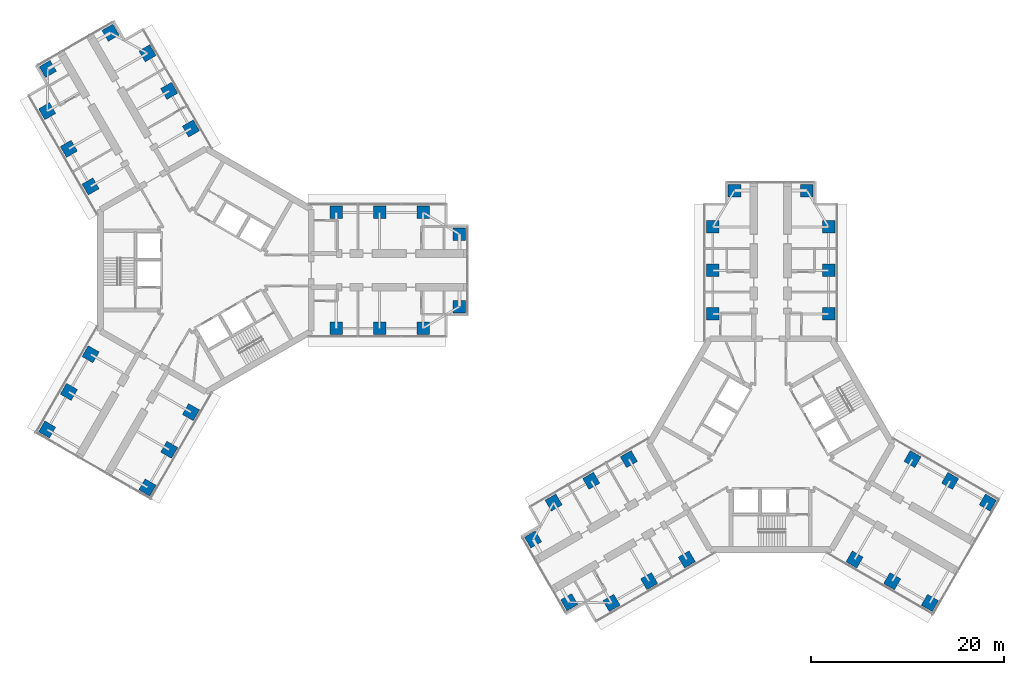
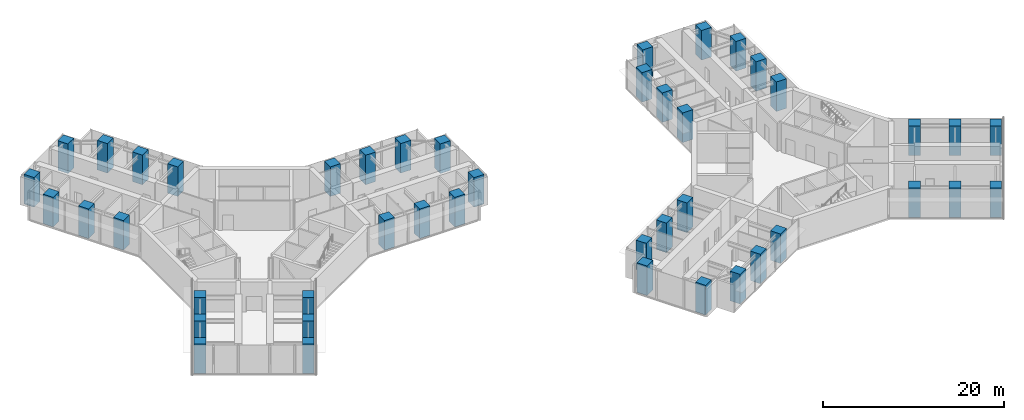
# One storey, part 1 of 22: 44 columns.
"""IFC4 building model written with IfcOpenShell, lengths in metres."""

from ifc_helpers import new_model, si_unit, direction, frame, origin, origin_2d, place, context, subcontext, project, spatial, rectangle, extrude, material, material_profile, profile_set, type_object, element, save


model = new_model("IFC4")

# Units and contexts
model_context = context("Model", 3, precision=1e-05, world=origin(), true_north=direction((0.0, 1.0)))
body_context = subcontext(model_context, "Body", "Model", "MODEL_VIEW")
ifc_project = project(units=[si_unit("LENGTHUNIT", "METRE"), si_unit("AREAUNIT", "SQUARE_METRE"), si_unit("VOLUMEUNIT", "CUBIC_METRE"), si_unit("PLANEANGLEUNIT", "RADIAN"), si_unit("MASSUNIT", "GRAM", prefix="KILO")], contexts=[model_context])

# Site, building, storey
site_placement = place(None, origin())
site = spatial("IfcSite", under=ifc_project, at=site_placement, CompositionType="ELEMENT")
building_placement = place(site_placement, origin())
building = spatial("IfcBuilding", under=site, at=building_placement, Name="Upepo Twin Towers", CompositionType="ELEMENT")
storey_placement = place(building_placement, frame((0.0, 0.0, 129.5)))
storey = spatial("IfcBuildingStorey", under=building, at=storey_placement, Name="L31", CompositionType="ELEMENT", Elevation=129.5)

# Columns
ifc_material = material(Name="Concrete C60/75", Category="concrete")
ifc_material_profile = material_profile(ifc_material, rectangle(XDim=1.300048828125, YDim=1.300048828125, at=origin_2d()), Name="RC 1300x1300")
ifc_profile_set = profile_set([ifc_material_profile], Name="Concrete C60/75")
column_type = type_object("IfcColumnType", Name="Tower column RC 1300x1300", PredefinedType="COLUMN", material=ifc_profile_set)
for number, where, z_axis, x_axis, name in (
    (1, (13.5, 6.0, 0.0), (0.0, 0.0, 1.0), (1.0, 0.0, 0.0), "T1 column AL135"),
    (2, (13.5, -6.0, 0.0), (0.0, 0.0, 1.0), (1.0, 0.0, 0.0), "T1 column AR135"),
    (3, (18.0, 6.0, 0.0), (0.0, 0.0, 1.0), (1.0, 0.0, 0.0), "T1 column AL180"),
    (4, (18.0, -6.0, 0.0), (0.0, 0.0, 1.0), (1.0, 0.0, 0.0), "T1 column AR180"),
    (5, (22.5, 6.0, 0.0), (0.0, 0.0, 1.0), (1.0, 0.0, 0.0), "T1 column AL225"),
    (6, (22.5, -6.0, 0.0), (0.0, 0.0, 1.0), (1.0, 0.0, 0.0), "T1 column AR225"),
    (7, (26.25, 3.75, 0.0), (0.0, 0.0, 1.0), (1.0, 0.0, 0.0), "T1 column ALN"),
    (8, (26.25, -3.75, 0.0), (0.0, 0.0, 1.0), (1.0, 0.0, 0.0), "T1 column ARN"),
    (9, (-11.946044921875, 8.69140625, 0.0), (0.0, 0.0, 1.0), (0.866025403784, 0.5, 0.0), "T1 column BL135"),
    (10, (-1.553955078125, 14.69140625, 0.0), (0.0, 0.0, 1.0), (0.866025403784, 0.5, 0.0), "T1 column BR135"),
    (11, (-14.196044921875, 12.58837890625, 0.0), (0.0, 0.0, 1.0), (0.866025403784, 0.5, 0.0), "T1 column BL180"),
    (12, (-3.803955078125, 18.58837890625, 0.0), (0.0, 0.0, 1.0), (0.866025403784, 0.5, 0.0), "T1 column BR180"),
    (13, (-16.446044921875, 16.485595703125, 0.0), (0.0, 0.0, 1.0), (0.866025403784, 0.5, 0.0), "T1 column BL225"),
    (14, (-6.053955078125, 22.485595703125, 0.0), (0.0, 0.0, 1.0), (0.866025403784, 0.5, 0.0), "T1 column BR225"),
    (15, (-16.37255859375, 20.858154296875, 0.0), (0.0, 0.0, 1.0), (0.866025403784, 0.5, 0.0), "T1 column BLN"),
    (16, (-9.87744140625, 24.608154296875, 0.0), (0.0, 0.0, 1.0), (0.866025403784, 0.5, 0.0), "T1 column BRN"),
    (17, (-1.553955078125, -14.69140625, 0.0), (0.0, 0.0, 1.0), (0.5, 0.866025403784, 0.0), "T1 column CL135"),
    (18, (-11.946044921875, -8.69140625, 0.0), (0.0, 0.0, 1.0), (0.5, 0.866025403784, 0.0), "T1 column CR135"),
    (19, (-3.803955078125, -18.58837890625, 0.0), (0.0, 0.0, 1.0), (0.5, 0.866025403784, 0.0), "T1 column CL180"),
    (20, (-14.196044921875, -12.58837890625, 0.0), (0.0, 0.0, 1.0), (0.5, 0.866025403784, 0.0), "T1 column CR180"),
    (21, (-6.053955078125, -22.485595703125, 0.0), (0.0, 0.0, 1.0), (0.5, 0.866025403784, 0.0), "T1 column CL225"),
    (22, (-16.446044921875, -16.485595703125, 0.0), (0.0, 0.0, 1.0), (0.5, 0.866025403784, 0.0), "T1 column CR225"),
    (23, (52.5, -4.5, 0.0), (0.0, 0.0, 1.0), (1.0, 0.0, 0.0), "T2 column AL135"),
    (24, (64.5, -4.5, 0.0), (0.0, 0.0, 1.0), (1.0, 0.0, 0.0), "T2 column AR135"),
    (25, (52.5, 0.0, 0.0), (0.0, 0.0, 1.0), (1.0, 0.0, 0.0), "T2 column AL180"),
    (26, (64.5, 0.0, 0.0), (0.0, 0.0, 1.0), (1.0, 0.0, 0.0), "T2 column AR180"),
    (27, (52.5, 4.5, 0.0), (0.0, 0.0, 1.0), (1.0, 0.0, 0.0), "T2 column AL225"),
    (28, (64.5, 4.5, 0.0), (0.0, 0.0, 1.0), (1.0, 0.0, 0.0), "T2 column AR225"),
    (29, (54.75, 8.25, 0.0), (0.0, 0.0, 1.0), (1.0, 0.0, 0.0), "T2 column ALN"),
    (30, (62.25, 8.25, 0.0), (0.0, 0.0, 1.0), (1.0, 0.0, 0.0), "T2 column ARN"),
    (31, (49.80859375, -29.946044921875, 0.0), (0.0, 0.0, 1.0), (0.866025403784, 0.5, 0.0), "T2 column BL135"),
    (32, (43.80859375, -19.553955078125, 0.0), (0.0, 0.0, 1.0), (0.866025403784, 0.5, 0.0), "T2 column BR135"),
    (33, (45.91162109375, -32.196044921875, 0.0), (0.0, 0.0, 1.0), (0.866025403784, 0.5, 0.0), "T2 column BL180"),
    (34, (39.91162109375, -21.803955078125, 0.0), (0.0, 0.0, 1.0), (0.866025403784, 0.5, 0.0), "T2 column BR180"),
    (35, (42.014404296875, -34.446044921875, 0.0), (0.0, 0.0, 1.0), (0.866025403784, 0.5, 0.0), "T2 column BL225"),
    (36, (36.014404296875, -24.053955078125, 0.0), (0.0, 0.0, 1.0), (0.866025403784, 0.5, 0.0), "T2 column BR225"),
    (37, (37.641845703125, -34.37255859375, 0.0), (0.0, 0.0, 1.0), (0.866025403784, 0.5, 0.0), "T2 column BLN"),
    (38, (33.891845703125, -27.87744140625, 0.0), (0.0, 0.0, 1.0), (0.866025403784, 0.5, 0.0), "T2 column BRN"),
    (39, (73.19140625, -19.553955078125, 0.0), (0.0, 0.0, 1.0), (0.5, 0.866025403784, 0.0), "T2 column CL135"),
    (40, (67.19140625, -29.946044921875, 0.0), (0.0, 0.0, 1.0), (0.5, 0.866025403784, 0.0), "T2 column CR135"),
    (41, (77.08837890625, -21.803955078125, 0.0), (0.0, 0.0, 1.0), (0.5, 0.866025403784, 0.0), "T2 column CL180"),
    (42, (71.08837890625, -32.196044921875, 0.0), (0.0, 0.0, 1.0), (0.5, 0.866025403784, 0.0), "T2 column CR180"),
    (43, (80.985595703125, -24.053955078125, 0.0), (0.0, 0.0, 1.0), (0.5, 0.866025403784, 0.0), "T2 column CL225"),
    (44, (74.985595703125, -34.446044921875, 0.0), (0.0, 0.0, 1.0), (0.5, 0.866025403784, 0.0), "T2 column CR225"),
):
    element("IfcColumn", number, at=place(storey_placement, frame(where, z_axis=z_axis, x_axis=x_axis)), inside=storey, type_object=column_type, Name=name, PredefinedType="COLUMN", context=body_context, shape_type="SweptSolid", body=[
        extrude(rectangle(XDim=1.300048828125, YDim=1.300048828125, at=origin_2d()), origin(), (0.0, 0.0, 1.0), 4.0),
    ])

save(model, "model.ifc")
